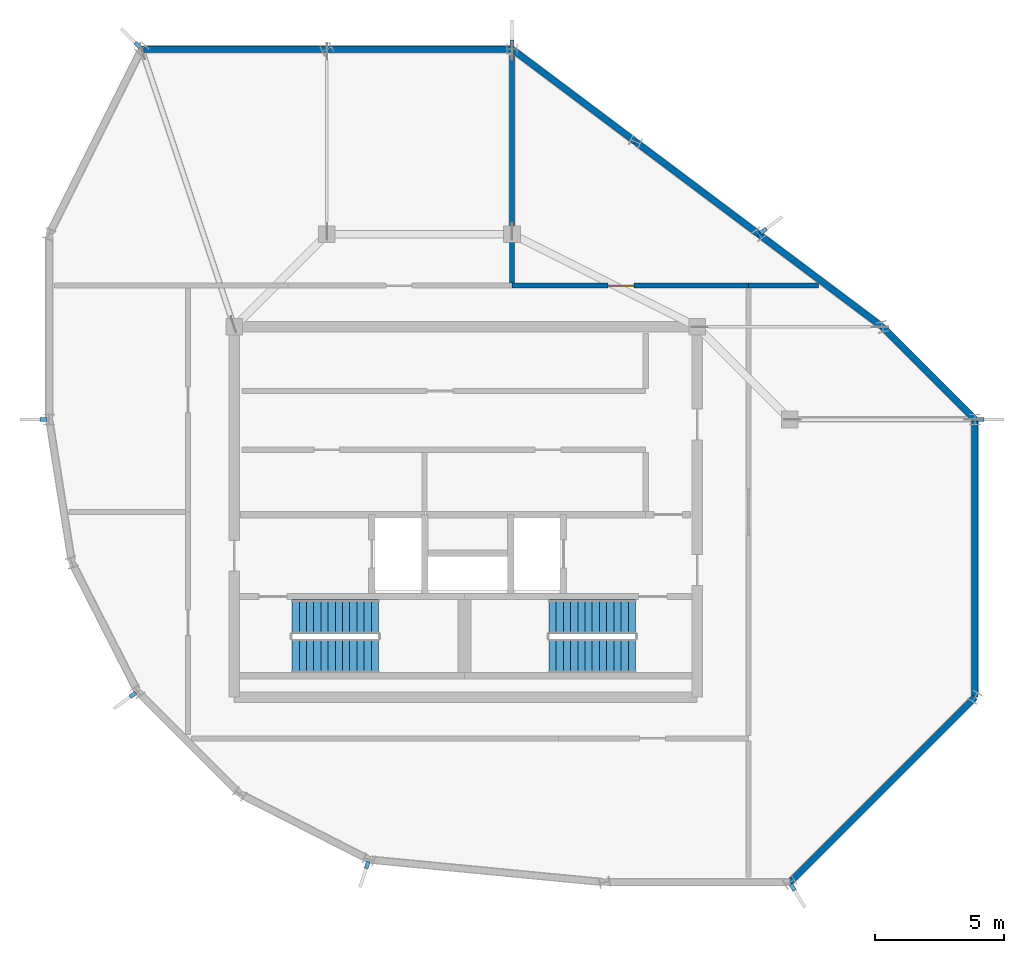
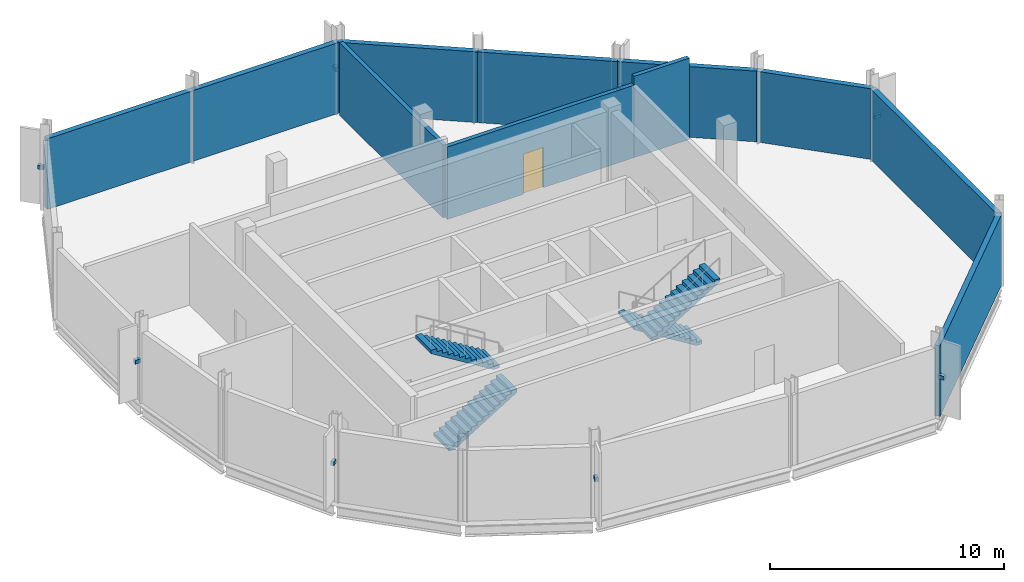
# One storey, part 3 of 5: 11 walls, 8 discrete accessories, 4 stair flights, 1 door, 1 opening, 2 elements without a shape of their own.
"""IFC4 building model written with IfcOpenShell, lengths in metres."""

from ifc_helpers import new_model, si_unit, direction, frame, frame_2d, origin, origin_2d, place, context, subcontext, project, spatial, polyline, rectangle, outline, extrude, material, layer, layer_set, type_object, element, fill, aggregate, save


model = new_model("IFC4")

# Units and contexts
model_context = context("Model", 3, precision=1e-05, world=origin(), true_north=direction((0.0, 1.0)))
body_context = subcontext(model_context, "Body", "Model", "MODEL_VIEW")
ifc_project = project(units=[si_unit("LENGTHUNIT", "METRE"), si_unit("AREAUNIT", "SQUARE_METRE"), si_unit("VOLUMEUNIT", "CUBIC_METRE"), si_unit("PLANEANGLEUNIT", "RADIAN"), si_unit("MASSUNIT", "GRAM", prefix="KILO")], contexts=[model_context])

# Site, building, storey
site_placement = place(None, origin())
site = spatial("IfcSite", under=ifc_project, at=site_placement, CompositionType="ELEMENT")
building_placement = place(site_placement, origin())
building = spatial("IfcBuilding", under=site, at=building_placement, Name="Solnavia Interchange Tower", CompositionType="ELEMENT")
storey_placement = place(building_placement, frame((0.0, 0.0, 313.199951171875)))
storey = spatial("IfcBuildingStorey", under=building, at=storey_placement, Name="C03", CompositionType="ELEMENT", Elevation=313.199951171875)

# Walls
ifc_material_1 = material(Name="Concrete C40/50", Category="concrete")
ifc_layer_1 = layer(ifc_material_1, 0.25)
ifc_layer_set_1 = layer_set([ifc_layer_1], Name="Concrete C40/50")
wall_type_1 = type_object("IfcWallType", Name="Wall-ExtSpandrel-250", PredefinedType="STANDARD", material=ifc_layer_set_1)
wall_1_placement = place(storey_placement, frame((43.199951171875, 21.60009765625, 0.0), z_axis=(0.0, 0.0, 1.0), x_axis=(-0.707106781187, 0.707106781187, 0.0)))
element("IfcWall", 1, at=wall_1_placement, inside=storey, type_object=wall_type_1, Name="EXW-C03-R01 Crown ring facade panel", PredefinedType="STANDARD", context=body_context, shape_type="SweptSolid", body=[
    extrude(rectangle(XDim=5.091064453125, YDim=0.25, at=frame_2d((2.54541015625, 0.0))), origin(), (0.0, 0.0, 1.0), 3.679931640625),
])
for number, where, z_axis, x_axis, name in (
    (2, (39.60009765625, 25.199951171875, 0.0), (0.0, 0.0, 1.0), (-0.79999511724, 0.600006510291, 0.0), "EXW-C03-R02 Crown ring facade panel"),
    (3, (34.800048828125, 28.800048828125, 0.0), (0.0, 0.0, 1.0), (-0.800014648318, 0.599980468412, 0.0), "EXW-C03-R03 Crown ring facade panel"),
    (4, (30.0, 32.39990234375, 0.0), (0.0, 0.0, 1.0), (-0.79999511724, 0.600006510291, 0.0), "EXW-C03-R04 Crown ring facade panel"),
):
    element("IfcWall", number, at=place(storey_placement, frame(where, z_axis=z_axis, x_axis=x_axis)), inside=storey, type_object=wall_type_1, Name=name, PredefinedType="STANDARD", context=body_context, shape_type="SweptSolid", body=[
        extrude(rectangle(XDim=6.0, YDim=0.25, at=frame_2d((3.0, 0.0))), origin(), (0.0, 0.0, 1.0), 3.679931640625),
    ])
for number, where, z_axis, x_axis, name in (
    (5, (25.199951171875, 36.0, 0.0), (0.0, 0.0, 1.0), (-1.0, 0.0, 0.0), "EXW-C03-R05 Crown ring facade panel"),
    (6, (18.0, 36.0, 0.0), (0.0, 0.0, 1.0), (-1.0, 0.0, 0.0), "EXW-C03-R06 Crown ring facade panel"),
):
    element("IfcWall", number, at=place(storey_placement, frame(where, z_axis=z_axis, x_axis=x_axis)), inside=storey, type_object=wall_type_1, Name=name, PredefinedType="STANDARD", context=body_context, shape_type="SweptSolid", body=[
        extrude(rectangle(XDim=7.199951171875, YDim=0.25, at=frame_2d((3.60009765625, 0.0))), origin(), (0.0, 0.0, 1.0), 3.679931640625),
    ])
wall_2_placement = place(storey_placement, frame((36.0, 3.60009765625, 0.0), z_axis=(0.0, 0.0, 1.0), x_axis=(0.707106781187, 0.707106781187, 0.0)))
element("IfcWall", 7, at=wall_2_placement, inside=storey, type_object=wall_type_1, Name="EXW-C03-R15 Crown ring facade panel", PredefinedType="STANDARD", context=body_context, shape_type="SweptSolid", body=[
    extrude(rectangle(XDim=10.182373046875, YDim=0.25, at=frame_2d((5.09130859375, 0.0))), origin(), (0.0, 0.0, 1.0), 3.679931640625),
])
wall_3_placement = place(storey_placement, frame((43.199951171875, 10.800048828125, 0.0), z_axis=(0.0, 0.0, 1.0), x_axis=(0.0, 1.0, 0.0)))
element("IfcWall", 8, at=wall_3_placement, inside=storey, type_object=wall_type_1, Name="EXW-C03-R16 Crown ring facade panel", PredefinedType="STANDARD", context=body_context, shape_type="SweptSolid", body=[
    extrude(rectangle(XDim=10.800048828125, YDim=0.25, at=frame_2d((5.39990234375, 0.0))), origin(), (0.0, 0.0, 1.0), 3.679931640625),
])

# Wall, opening, door
ifc_layer_2 = layer(ifc_material_1, 0.199951171875)
ifc_layer_set_2 = layer_set([ifc_layer_2], Name="Concrete C40/50")
wall_type_2 = type_object("IfcWallType", Name="Wall-PlantFire-200", PredefinedType="PARTITIONING", material=ifc_layer_set_2)
wall_4_placement = place(storey_placement, frame((25.199951171875, 26.800048828125, 0.0), z_axis=(0.0, 0.0, 1.0), x_axis=(1.0, 0.0, 0.0)))
wall_4 = element("IfcWall", 9, at=wall_4_placement, inside=storey, type_object=wall_type_2, Name="PTW-C03-02 Interior partition wall", PredefinedType="PARTITIONING", context=body_context, shape_type="SweptSolid", body=[
    extrude(rectangle(XDim=9.199951171875, YDim=0.199951171875, at=frame_2d((4.60009765625, 0.0))), origin(), (0.0, 0.0, 1.0), 3.780029296875),
])
opening_placement = place(wall_4_placement, frame((3.739990234375, 0.0, 0.0)))
opening = element("IfcOpeningElement", 10, at=opening_placement, cuts=wall_4, Name="Opening DR-04", PredefinedType="OPENING", context=body_context, shape_type="SweptSolid", body=[
    extrude(rectangle(XDim=1.0, YDim=2.10009765625, at=frame_2d((0.5, 1.050048828125))), frame((0.0, 0.10986328125, 0.0), z_axis=(0.0, -1.0, 0.0), x_axis=(1.0, 0.0, 0.0)), (0.0, 0.0, 1.0), 0.219970703125),
])
ifc_material_2 = material(Name="Steel Fire-Rated Plant Door", Category="steel")
door_type = type_object("IfcDoorType", Name="Door-PlantFire-1000x2100", OperationType="SINGLE_SWING_LEFT", PredefinedType="DOOR", material=ifc_material_2)
door_placement = place(opening_placement, origin())
door = element("IfcDoor", 11, at=door_placement, inside=storey, type_object=door_type, Name="DR-C03-02 Interior room door", OperationType="SINGLE_SWING_RIGHT", OverallHeight=2.10009765625, OverallWidth=1.0, PredefinedType="DOOR", context=body_context, shape_type="SweptSolid", body=[
    extrude(rectangle(XDim=1.0, YDim=2.10009765625, at=frame_2d((0.5, 1.050048828125))), frame((0.0, 0.02490234375, 0.0), z_axis=(0.0, -1.0, 0.0), x_axis=(1.0, 0.0, 0.0)), (0.0, 0.0, 1.0), 0.050048828125),
])
fill(opening, door)

# Walls
wall_5_placement = place(storey_placement, frame((34.39990234375, 26.800048828125, 0.0), z_axis=(0.0, 0.0, 1.0), x_axis=(1.0, 0.0, 0.0)))
element("IfcWall", 12, at=wall_5_placement, inside=storey, type_object=wall_type_2, Name="PTW-C03-04 Interior partition wall", PredefinedType="PARTITIONING", context=body_context, shape_type="SweptSolid", body=[
    extrude(rectangle(XDim=2.72509765625, YDim=0.199951171875, at=frame_2d((1.362548828125, 0.0))), origin(), (0.0, 0.0, 1.0), 4.235107421875),
])
wall_6_placement = place(storey_placement, frame((25.199951171875, 26.904052734375, 0.0), z_axis=(0.0, 0.0, 1.0), x_axis=(0.0, 1.0, 0.0)))
element("IfcWall", 13, at=wall_6_placement, inside=storey, type_object=wall_type_2, Name="PTW-C03-05 Interior partition wall", PredefinedType="PARTITIONING", context=body_context, shape_type="SweptSolid", body=[
    extrude(rectangle(XDim=8.839599609375, YDim=0.199951171875, at=frame_2d((4.419921875, 0.0))), origin(), (0.0, 0.0, 1.0), 3.780029296875),
])

# Stair, stair flights
stair_type = type_object("IfcStairType", Name="Stair-Dogleg-RC", PredefinedType="HALF_TURN_STAIR", material=ifc_material_1)
stair_1_placement = place(storey_placement, origin())
stair_1 = element("IfcStair", 14, at=stair_1_placement, inside=storey, type_object=stair_type, Name="C03 Core exit stair 1", PredefinedType="HALF_TURN_STAIR")
stair_flight_type = type_object("IfcStairFlightType", Name="StairFlight-RC-150", PredefinedType="STRAIGHT", material=ifc_material_1)
stair_flight_1_placement = place(storey_placement, frame((16.64990234375, 12.409912109375, 0.0), z_axis=(0.0, 0.0, 1.0), x_axis=(1.0, 0.0, 0.0)))
stair_flight_1 = element("IfcStairFlight", 15, at=stair_flight_1_placement, type_object=stair_flight_type, Name="ST-1 flight 1", NumberOfRisers=13, NumberOfTreads=12, PredefinedType="STRAIGHT", RiserHeight=0.173076923, TreadLength=0.28, context=body_context, shape_type="SweptSolid", body=[
    extrude(outline(polyline([(0.0, 0.0), (0.0, 0.173095703125), (0.280029296875, 0.173095703125), (0.280029296875, 0.34619140625), (0.56005859375, 0.34619140625), (0.56005859375, 0.519287109375), (0.840087890625, 0.519287109375), (0.840087890625, 0.6923828125), (1.1201171875, 0.6923828125), (1.1201171875, 0.865478515625), (1.39990234375, 0.865478515625), (1.39990234375, 1.03857421875), (1.679931640625, 1.03857421875), (1.679931640625, 1.21142578125), (1.9599609375, 1.21142578125), (1.9599609375, 1.384521484375), (2.239990234375, 1.384521484375), (2.239990234375, 1.5576171875), (2.52001953125, 1.5576171875), (2.52001953125, 1.730712890625), (2.800048828125, 1.730712890625), (2.800048828125, 1.90380859375), (3.080078125, 1.90380859375), (3.080078125, 2.076904296875), (3.360107421875, 2.076904296875), (3.360107421875, 2.25), (3.360107421875, 1.900634765625), (0.28515625, 0.0), (0.0, 0.0)])), frame((0.0, 0.66015625, 0.0), z_axis=(0.0, -1.0, 0.0), x_axis=(1.0, 0.0, 0.0)), (0.0, 0.0, 1.0), 1.320068359375),
])
stair_flight_2_placement = place(storey_placement, frame((20.010009765625, 13.929931640625, 2.25), z_axis=(0.0, 0.0, 1.0), x_axis=(-1.0, 0.0, 0.0)))
stair_flight_2 = element("IfcStairFlight", 16, at=stair_flight_2_placement, type_object=stair_flight_type, Name="ST-1 flight 2", NumberOfRisers=13, NumberOfTreads=12, PredefinedType="STRAIGHT", RiserHeight=0.173076923, TreadLength=0.28, context=body_context, shape_type="SweptSolid", body=[
    extrude(outline(polyline([(0.0, 0.0), (0.0, 0.173095703125), (0.280029296875, 0.173095703125), (0.280029296875, 0.34619140625), (0.56005859375, 0.34619140625), (0.56005859375, 0.519287109375), (0.840087890625, 0.519287109375), (0.840087890625, 0.6923828125), (1.1201171875, 0.6923828125), (1.1201171875, 0.865478515625), (1.39990234375, 0.865478515625), (1.39990234375, 1.03857421875), (1.679931640625, 1.03857421875), (1.679931640625, 1.21142578125), (1.9599609375, 1.21142578125), (1.9599609375, 1.384521484375), (2.239990234375, 1.384521484375), (2.239990234375, 1.5576171875), (2.52001953125, 1.5576171875), (2.52001953125, 1.730712890625), (2.800048828125, 1.730712890625), (2.800048828125, 1.90380859375), (3.080078125, 1.90380859375), (3.080078125, 2.076904296875), (3.360107421875, 2.076904296875), (3.360107421875, 2.25), (3.360107421875, 1.900634765625), (0.28515625, 0.0), (0.0, 0.0)])), frame((0.0, 0.66015625, 0.0), z_axis=(0.0, -1.0, 0.0), x_axis=(1.0, 0.0, 0.0)), (0.0, 0.0, 1.0), 1.320068359375),
])
aggregate(stair_1, [stair_flight_1, stair_flight_2])

stair_2_placement = place(storey_placement, origin())
stair_2 = element("IfcStair", 17, at=stair_2_placement, inside=storey, type_object=stair_type, Name="C03 Core exit stair 2", PredefinedType="HALF_TURN_STAIR")
stair_flight_3_placement = place(storey_placement, frame((30.0, 13.929931640625, 0.0), z_axis=(0.0, 0.0, 1.0), x_axis=(-1.0, 0.0, 0.0)))
stair_flight_3 = element("IfcStairFlight", 18, at=stair_flight_3_placement, type_object=stair_flight_type, Name="ST-2 flight 1", NumberOfRisers=13, NumberOfTreads=12, PredefinedType="STRAIGHT", RiserHeight=0.173076923, TreadLength=0.28, context=body_context, shape_type="SweptSolid", body=[
    extrude(outline(polyline([(0.0, 0.0), (0.0, 0.173095703125), (0.280029296875, 0.173095703125), (0.280029296875, 0.34619140625), (0.56005859375, 0.34619140625), (0.56005859375, 0.519287109375), (0.840087890625, 0.519287109375), (0.840087890625, 0.6923828125), (1.1201171875, 0.6923828125), (1.1201171875, 0.865478515625), (1.39990234375, 0.865478515625), (1.39990234375, 1.03857421875), (1.679931640625, 1.03857421875), (1.679931640625, 1.21142578125), (1.9599609375, 1.21142578125), (1.9599609375, 1.384521484375), (2.239990234375, 1.384521484375), (2.239990234375, 1.5576171875), (2.52001953125, 1.5576171875), (2.52001953125, 1.730712890625), (2.800048828125, 1.730712890625), (2.800048828125, 1.90380859375), (3.080078125, 1.90380859375), (3.080078125, 2.076904296875), (3.360107421875, 2.076904296875), (3.360107421875, 2.25), (3.360107421875, 1.900634765625), (0.28515625, 0.0), (0.0, 0.0)])), frame((0.0, 0.66015625, 0.0), z_axis=(0.0, -1.0, 0.0), x_axis=(1.0, 0.0, 0.0)), (0.0, 0.0, 1.0), 1.320068359375),
])
stair_flight_4_placement = place(storey_placement, frame((26.639892578125, 12.409912109375, 2.25), z_axis=(0.0, 0.0, 1.0), x_axis=(1.0, 0.0, 0.0)))
stair_flight_4 = element("IfcStairFlight", 19, at=stair_flight_4_placement, type_object=stair_flight_type, Name="ST-2 flight 2", NumberOfRisers=13, NumberOfTreads=12, PredefinedType="STRAIGHT", RiserHeight=0.173076923, TreadLength=0.28, context=body_context, shape_type="SweptSolid", body=[
    extrude(outline(polyline([(0.0, 0.0), (0.0, 0.173095703125), (0.280029296875, 0.173095703125), (0.280029296875, 0.34619140625), (0.56005859375, 0.34619140625), (0.56005859375, 0.519287109375), (0.840087890625, 0.519287109375), (0.840087890625, 0.6923828125), (1.1201171875, 0.6923828125), (1.1201171875, 0.865478515625), (1.39990234375, 0.865478515625), (1.39990234375, 1.03857421875), (1.679931640625, 1.03857421875), (1.679931640625, 1.21142578125), (1.9599609375, 1.21142578125), (1.9599609375, 1.384521484375), (2.239990234375, 1.384521484375), (2.239990234375, 1.5576171875), (2.52001953125, 1.5576171875), (2.52001953125, 1.730712890625), (2.800048828125, 1.730712890625), (2.800048828125, 1.90380859375), (3.080078125, 1.90380859375), (3.080078125, 2.076904296875), (3.360107421875, 2.076904296875), (3.360107421875, 2.25), (3.360107421875, 1.900634765625), (0.28515625, 0.0), (0.0, 0.0)])), frame((0.0, 0.66015625, 0.0), z_axis=(0.0, -1.0, 0.0), x_axis=(1.0, 0.0, 0.0)), (0.0, 0.0, 1.0), 1.320068359375),
])
aggregate(stair_2, [stair_flight_3, stair_flight_4])

# Discrete accessories
ifc_material_3 = material(Name="Stainless Steel 1.4401", Category="steel")
discrete_accessory_type = type_object("IfcDiscreteAccessoryType", Name="Bracket-Shade-220", PredefinedType="BRACKET", material=ifc_material_3)
for number, where, z_axis, x_axis, name in (
    (20, (43.419921875, 21.60009765625, 2.02490234375), (0.0, 0.0, 1.0), (1.0, 0.0, 0.0), "BRK-C03-F01 Crown fin mounting bracket"),
    (21, (34.97607421875, 28.931884765625, 2.02490234375), (0.0, 0.0, 1.0), (0.799998928149, 0.600001429133, 0.0), "BRK-C03-F03 Crown fin mounting bracket"),
    (22, (25.199951171875, 36.219970703125, 2.02490234375), (0.0, 0.0, 1.0), (0.0, 1.0, 0.0), "BRK-C03-F05 Crown fin mounting bracket"),
    (23, (10.644287109375, 36.155517578125, 2.02490234375), (0.0, 0.0, 1.0), (-0.707106781187, 0.707106781187, 0.0), "BRK-C03-F07 Crown fin mounting bracket"),
    (24, (6.97998046875, 21.60009765625, 2.02490234375), (0.0, 0.0, 1.0), (-1.0, 0.0, 0.0), "BRK-C03-F09 Crown fin mounting bracket"),
    (25, (10.4599609375, 10.890625, 2.02490234375), (0.0, 0.0, 1.0), (-0.809016994375, -0.587785252292, 0.0), "BRK-C03-F11 Crown fin mounting bracket"),
    (26, (19.570068359375, 4.271728515625, 2.02490234375), (0.0, 0.0, 1.0), (-0.309016994375, -0.951056516295, 0.0), "BRK-C03-F13 Crown fin mounting bracket"),
    (27, (36.11328125, 3.411376953125, 2.02490234375), (0.0, 0.0, 1.0), (0.514439533782, -0.857526656194, 0.0), "BRK-C03-F15 Crown fin mounting bracket"),
):
    element("IfcDiscreteAccessory", number, at=place(storey_placement, frame(where, z_axis=z_axis, x_axis=x_axis)), inside=storey, type_object=discrete_accessory_type, Name=name, PredefinedType="BRACKET", context=body_context, shape_type="SweptSolid", body=[
        extrude(rectangle(XDim=0.280029296875, YDim=0.159912109375, at=origin_2d()), origin(), (0.0, 0.0, 1.0), 0.199951171875),
    ])

save(model, "model.ifc")
